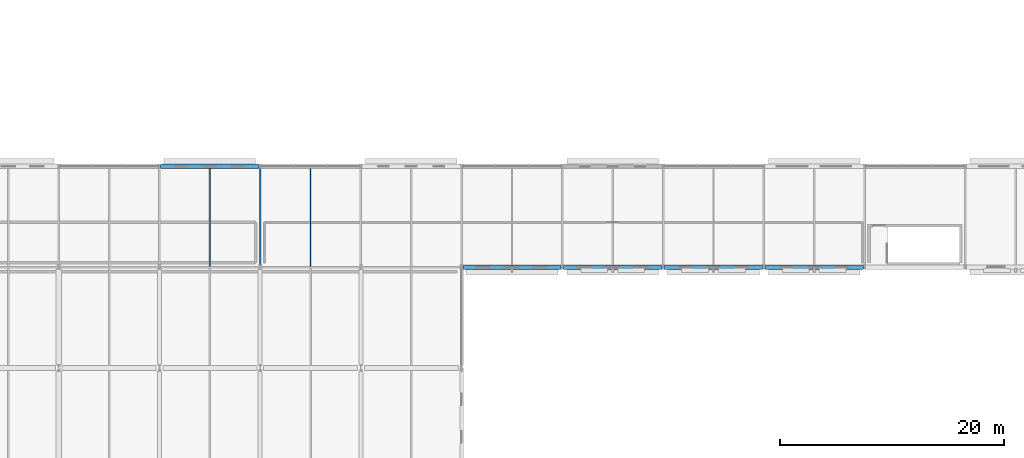
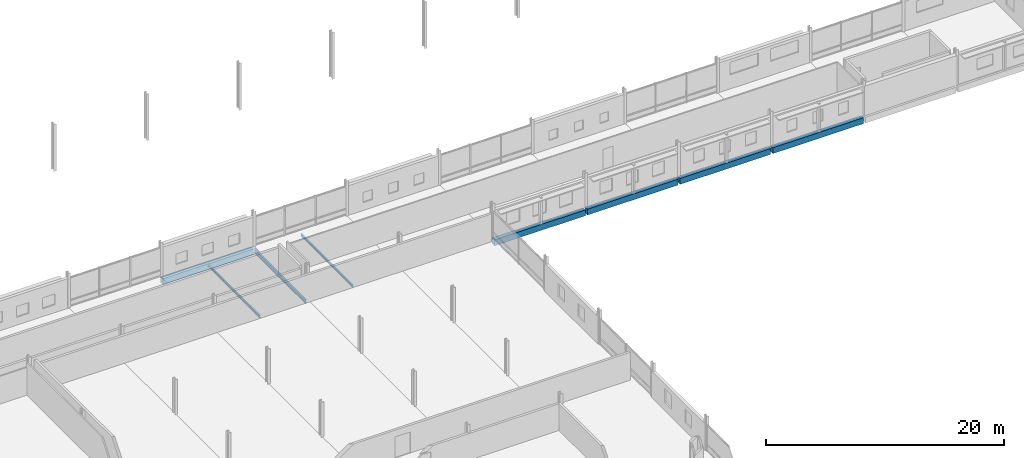
# One storey, part 52 of 132: 8 beams.
"""IFC4 building model written with IfcOpenShell, lengths in metres."""

from ifc_helpers import new_model, si_unit, direction, frame, origin, origin_2d, place, context, subcontext, project, spatial, rectangle, i_section, extrude, material, material_profile, profile_set, type_object, element, save


model = new_model("IFC4")

# Units and contexts
model_context = context("Model", 3, precision=1e-05, world=origin(), true_north=direction((0.0, 1.0)))
body_context = subcontext(model_context, "Body", "Model", "MODEL_VIEW")
ifc_project = project(units=[si_unit("LENGTHUNIT", "METRE"), si_unit("AREAUNIT", "SQUARE_METRE"), si_unit("VOLUMEUNIT", "CUBIC_METRE"), si_unit("PLANEANGLEUNIT", "RADIAN"), si_unit("MASSUNIT", "GRAM", prefix="KILO")], contexts=[model_context])

# Site, building, storey
site_placement = place(None, origin())
site = spatial("IfcSite", under=ifc_project, at=site_placement, CompositionType="ELEMENT")
building_placement = place(site_placement, origin())
building = spatial("IfcBuilding", under=site, at=building_placement, Name="Tharagai Park Tramway Depot", CompositionType="ELEMENT")
storey_placement = place(building_placement, frame((0.0, 0.0, 4.800048828125)))
storey = spatial("IfcBuildingStorey", under=building, at=storey_placement, Name="L01", CompositionType="ELEMENT", Elevation=4.800048828125)

# Beams
ifc_material_1 = material(Name="Steel E350", Category="steel")
ifc_material_profile_1 = material_profile(ifc_material_1, i_section(OverallWidth=0.139892578125, OverallDepth=0.39990234375, WebThickness=0.0087890625, FlangeThickness=0.01611328125, FilletRadius=0.013916015625, at=origin_2d()), Name="ISMB 400")
ifc_profile_set_1 = profile_set([ifc_material_profile_1], Name="Steel E350")
beam_type_1 = type_object("IfcBeamType", Name="BM-06", PredefinedType="BEAM", material=ifc_profile_set_1)
beam_placement = place(storey_placement, frame((72.0, 90.175048828125, -0.380126953125), z_axis=(0.0, 1.0, 0.0), x_axis=(-1.0, 0.0, 0.0)))
element("IfcBeam", 1, at=beam_placement, inside=storey, type_object=beam_type_1, Name="L01 Grid Beam BM-06", PredefinedType="BEAM", context=body_context, shape_type="SweptSolid", body=[
    extrude(i_section(OverallWidth=0.139892578125, OverallDepth=0.39990234375, WebThickness=0.0087890625, FlangeThickness=0.01611328125, FilletRadius=0.013916015625, at=origin_2d()), origin(), (0.0, 0.0, 1.0), 8.675048828125),
])
ifc_material_2 = material(Name="Steel E250", Category="steel")
ifc_material_profile_2 = material_profile(ifc_material_2, i_section(OverallWidth=0.125, OverallDepth=0.25, WebThickness=0.0068359375, FlangeThickness=0.012451171875, FilletRadius=0.012939453125, at=origin_2d()), Name="ISMB 250")
ifc_profile_set_2 = profile_set([ifc_material_profile_2], Name="Steel E250")
beam_type_2 = type_object("IfcBeamType", Name="JT-02", PredefinedType="JOIST", material=ifc_profile_set_2)
for number, where, z_axis, x_axis, name in (
    (2, (67.5, 90.074951171875, -0.304931640625), (0.0, 1.0, 0.0), (-1.0, 0.0, 0.0), "L01 Secondary Joist JT-02"),
    (3, (76.5, 90.074951171875, -0.304931640625), (0.0, 1.0, 0.0), (-1.0, 0.0, 0.0), "L01 Secondary Joist JT-02"),
):
    element("IfcBeam", number, at=place(storey_placement, frame(where, z_axis=z_axis, x_axis=x_axis)), inside=storey, type_object=beam_type_2, Name=name, PredefinedType="JOIST", context=body_context, shape_type="SweptSolid", body=[
        extrude(i_section(OverallWidth=0.125, OverallDepth=0.25, WebThickness=0.0068359375, FlangeThickness=0.012451171875, FilletRadius=0.012939453125, at=origin_2d()), origin(), (0.0, 0.0, 1.0), 8.72509765625),
    ])
ifc_material_3 = material(Name="Concrete M35", Category="concrete")
ifc_material_profile_3 = material_profile(ifc_material_3, rectangle(XDim=0.39990234375, YDim=0.60009765625, at=origin_2d()), Name="RC 400x600")
ifc_profile_set_3 = profile_set([ifc_material_profile_3], Name="Concrete M35")
beam_type_3 = type_object("IfcBeamType", Name="SP-02", PredefinedType="SPANDREL", material=ifc_profile_set_3)
for number, where, z_axis, x_axis, name in (
    (4, (90.10009765625, 90.0, -0.47998046875), (1.0, 0.0, 0.0), (0.0, 1.0, 0.0), "L01 Grid Beam SP-02"),
    (5, (99.10009765625, 90.0, -0.47998046875), (1.0, 0.0, 0.0), (0.0, 1.0, 0.0), "L01 Grid Beam SP-02"),
    (6, (108.10009765625, 90.0, -0.47998046875), (1.0, 0.0, 0.0), (0.0, 1.0, 0.0), "L01 Grid Beam SP-02"),
    (7, (117.10009765625, 90.0, -0.47998046875), (1.0, 0.0, 0.0), (0.0, 1.0, 0.0), "L01 Grid Beam SP-02"),
    (8, (63.10009765625, 99.0, -0.47998046875), (1.0, 0.0, 0.0), (0.0, 1.0, 0.0), "L01 Grid Beam SP-02"),
):
    element("IfcBeam", number, at=place(storey_placement, frame(where, z_axis=z_axis, x_axis=x_axis)), inside=storey, type_object=beam_type_3, Name=name, PredefinedType="SPANDREL", context=body_context, shape_type="SweptSolid", body=[
        extrude(rectangle(XDim=0.39990234375, YDim=0.60009765625, at=origin_2d()), origin(), (0.0, 0.0, 1.0), 8.7998046875),
    ])

save(model, "model.ifc")
